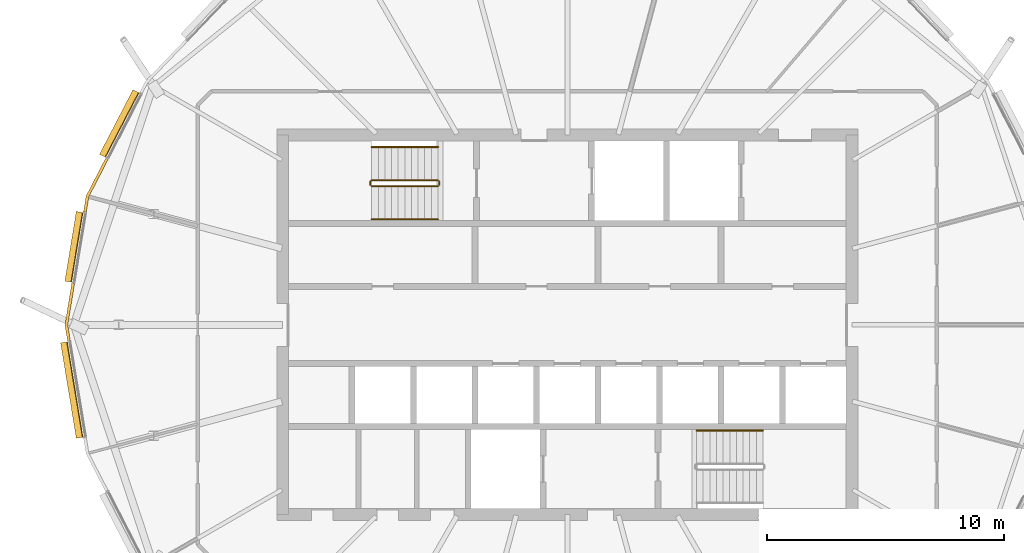
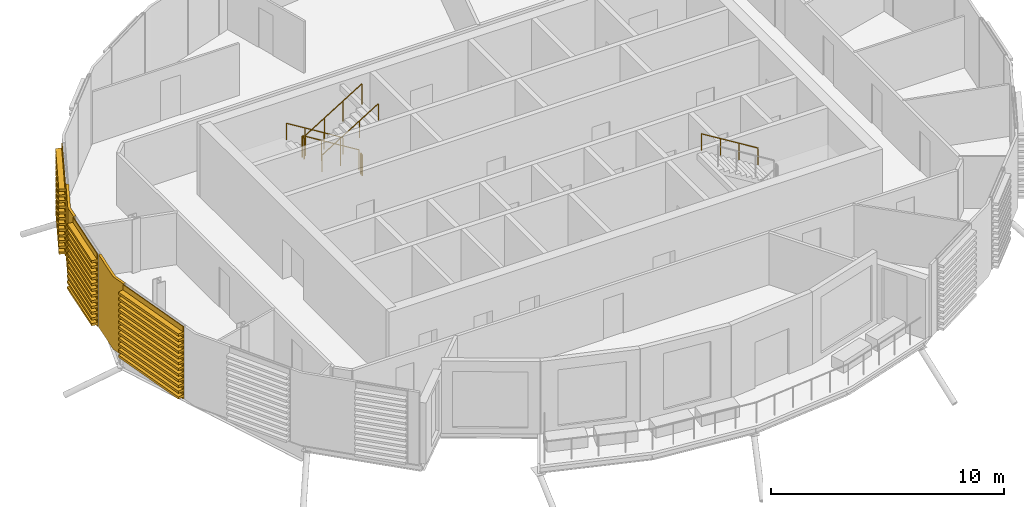
# One storey, part 35 of 41: 7 railings, 5 coverings.
"""IFC4 building model written with IfcOpenShell, lengths in metres."""

from ifc_helpers import new_model, si_unit, direction, frame, origin, origin_2d, place, context, subcontext, project, spatial, polyline, circle, outline, extrude, material, layer, layer_set, material_profile, profile_set, type_object, element, save


model = new_model("IFC4")

# Units and contexts
model_context = context("Model", 3, precision=1e-05, world=origin(), true_north=direction((0.0, 1.0)))
body_context = subcontext(model_context, "Body", "Model", "MODEL_VIEW")
ifc_project = project(units=[si_unit("LENGTHUNIT", "METRE"), si_unit("AREAUNIT", "SQUARE_METRE"), si_unit("VOLUMEUNIT", "CUBIC_METRE"), si_unit("PLANEANGLEUNIT", "RADIAN"), si_unit("MASSUNIT", "GRAM", prefix="KILO")], contexts=[model_context])

# Site, building, storey
site_placement = place(None, origin())
site = spatial("IfcSite", under=ifc_project, at=site_placement, CompositionType="ELEMENT")
building_placement = place(site_placement, origin())
building = spatial("IfcBuilding", under=site, at=building_placement, Name="Rimbun Link Towers", CompositionType="ELEMENT")
storey_placement = place(building_placement, frame((0.0, 0.0, 210.5)))
storey = spatial("IfcBuildingStorey", under=building, at=storey_placement, Name="L51", CompositionType="ELEMENT", Elevation=210.5)

# Coverings
ifc_material_1 = material(Name="Terracotta", Category="masonry")
ifc_layer = layer(ifc_material_1, 0.1201171875)
ifc_layer_set = layer_set([ifc_layer], Name="LINK PIER terracotta cladding 120")
covering_type_1 = type_object("IfcCoveringType", Name="LINK PIER terracotta cladding 120", PredefinedType="CLADDING", material=ifc_layer_set)
covering_1_placement = place(storey_placement, origin())
element("IfcCovering", 1, at=covering_1_placement, inside=storey, type_object=covering_type_1, Name="LINK PIER cladding", PredefinedType="CLADDING", context=body_context, shape_type="SweptSolid", body=[
    extrude(outline(polyline([(-52.030029296875, 4.743896484375), (-51.92138671875, 5.40478515625), (-51.10791015625, 6.976806640625), (-51.214599609375, 7.031982421875), (-52.03662109375, 5.443115234375), (-52.1484375, 4.76318359375), (-52.030029296875, 4.743896484375)])), origin(), (0.0, 0.0, 1.0), 3.800048828125),
])
covering_2_placement = place(storey_placement, origin())
element("IfcCovering", 2, at=covering_2_placement, inside=storey, type_object=covering_type_1, Name="LINK PIER cladding", PredefinedType="CLADDING", context=body_context, shape_type="SweptSolid", body=[
    extrude(outline(polyline([(-52.701416015625, -0.6611328125), (-52.810302734375, 0.0), (-52.52294921875, 1.74658203125), (-52.641357421875, 1.76611328125), (-52.931884765625, 0.0), (-52.81982421875, -0.6806640625), (-52.701416015625, -0.6611328125)])), origin(), (0.0, 0.0, 1.0), 3.800048828125),
])

# Railings
ifc_material_2 = material(Name="Stainless steel grade 316", Category="steel")
railing_type_1 = type_object("IfcRailingType", Name="Stair guard", PredefinedType="GUARDRAIL", material=ifc_material_2)
railing_1_placement = place(storey_placement, frame((-37.199951171875, 6.10009765625, 0.172607421875)))
element("IfcRailing", 3, at=railing_1_placement, inside=storey, type_object=railing_type_1, Name="L51 ST1 stair guard 1", PredefinedType="GUARDRAIL", context=body_context, shape_type="SweptSolid", body=[
    extrude(circle(Radius=0.02392578125, at=origin_2d()), frame((0.0, 0.0, 1.076171875), z_axis=(-0.851089632645, 0.0, 0.525020415988), x_axis=(0.0, -1.0, 0.0)), (0.0, 0.0, 1.0), 3.2900390625),
    extrude(circle(Radius=0.02099609375, at=origin_2d()), origin(), (0.0, 0.0, 1.0), 1.052001953125),
    extrude(circle(Radius=0.02099609375, at=origin_2d()), frame((-0.933349609375, 0.0, 0.57568359375)), (0.0, 0.0, 1.0), 1.052001953125),
    extrude(circle(Radius=0.02099609375, at=origin_2d()), frame((-1.86669921875, 0.0, 1.151611328125)), (0.0, 0.0, 1.0), 1.052001953125),
    extrude(circle(Radius=0.02099609375, at=origin_2d()), frame((-2.800048828125, 0.0, 1.727294921875)), (0.0, 0.0, 1.0), 1.052001953125),
])
railing_2_placement = place(storey_placement, frame((-40.050048828125, 6.050048828125, 1.89990234375)))
element("IfcRailing", 4, at=railing_2_placement, inside=storey, type_object=railing_type_1, Name="L51 ST1 stair guard 2", PredefinedType="GUARDRAIL", context=body_context, shape_type="SweptSolid", body=[
    extrude(circle(Radius=0.02392578125, at=origin_2d()), frame((0.0, 0.0, 1.076171875), z_axis=(0.0, -1.0, 0.0), x_axis=(1.0, 0.0, 0.0)), (0.0, 0.0, 1.0), 0.150146484375),
    extrude(circle(Radius=0.02099609375, at=origin_2d()), origin(), (0.0, 0.0, 1.0), 1.052001953125),
    extrude(circle(Radius=0.02099609375, at=origin_2d()), frame((0.0, -0.150146484375, 0.0)), (0.0, 0.0, 1.0), 1.052001953125),
])
railing_3_placement = place(storey_placement, frame((-40.0, 5.85009765625, 2.07275390625)))
element("IfcRailing", 5, at=railing_3_placement, inside=storey, type_object=railing_type_1, Name="L51 ST1 stair guard 3", PredefinedType="GUARDRAIL", context=body_context, shape_type="SweptSolid", body=[
    extrude(circle(Radius=0.02392578125, at=origin_2d()), frame((0.0, 0.0, 1.076171875), z_axis=(0.851089632645, 0.0, 0.525020415988), x_axis=(0.0, 1.0, 0.0)), (0.0, 0.0, 1.0), 3.2900390625),
    extrude(circle(Radius=0.02099609375, at=origin_2d()), origin(), (0.0, 0.0, 1.0), 1.052001953125),
    extrude(circle(Radius=0.02099609375, at=origin_2d()), frame((0.933349609375, 0.0, 0.57568359375)), (0.0, 0.0, 1.0), 1.052001953125),
    extrude(circle(Radius=0.02099609375, at=origin_2d()), frame((1.86669921875, 0.0, 1.151611328125)), (0.0, 0.0, 1.0), 1.052001953125),
    extrude(circle(Radius=0.02099609375, at=origin_2d()), frame((2.800048828125, 0.0, 1.727294921875)), (0.0, 0.0, 1.0), 1.052001953125),
])
railing_4_placement = place(storey_placement, frame((-37.14990234375, 6.050048828125, 0.0)))
element("IfcRailing", 6, at=railing_4_placement, inside=storey, type_object=railing_type_1, Name="L51 ST1 stair guard 4", PredefinedType="GUARDRAIL", context=body_context, shape_type="SweptSolid", body=[
    extrude(circle(Radius=0.02392578125, at=origin_2d()), frame((0.0, 0.0, 1.076171875), z_axis=(0.0, -1.0, 0.0), x_axis=(1.0, 0.0, 0.0)), (0.0, 0.0, 1.0), 0.150146484375),
    extrude(circle(Radius=0.02099609375, at=origin_2d()), origin(), (0.0, 0.0, 1.0), 1.052001953125),
    extrude(circle(Radius=0.02099609375, at=origin_2d()), frame((0.0, -0.150146484375, 0.0)), (0.0, 0.0, 1.0), 1.052001953125),
])
ifc_material_3 = material(Name="Stainless steel grade 316", Category="steel")
railing_type_2 = type_object("IfcRailingType", Name="Stair handrail", PredefinedType="HANDRAIL", material=ifc_material_3)
railing_5_placement = place(storey_placement, frame((-37.199951171875, 7.5, 0.172607421875)))
element("IfcRailing", 7, at=railing_5_placement, inside=storey, type_object=railing_type_2, Name="L51 ST1 stair handrail 1", PredefinedType="HANDRAIL", context=body_context, shape_type="SweptSolid", body=[
    extrude(circle(Radius=0.02392578125, at=origin_2d()), frame((0.0, 0.0, 0.8759765625), z_axis=(-0.851089632645, 0.0, 0.525020415988), x_axis=(0.0, -1.0, 0.0)), (0.0, 0.0, 1.0), 3.2900390625),
    extrude(circle(Radius=0.02099609375, at=origin_2d()), origin(), (0.0, 0.0, 1.0), 0.851806640625),
    extrude(circle(Radius=0.02099609375, at=origin_2d()), frame((-0.933349609375, 0.0, 0.57568359375)), (0.0, 0.0, 1.0), 0.851806640625),
    extrude(circle(Radius=0.02099609375, at=origin_2d()), frame((-1.86669921875, 0.0, 1.151611328125)), (0.0, 0.0, 1.0), 0.851806640625),
    extrude(circle(Radius=0.02099609375, at=origin_2d()), frame((-2.800048828125, 0.0, 1.727294921875)), (0.0, 0.0, 1.0), 0.851806640625),
])
railing_6_placement = place(storey_placement, frame((-40.0, 4.449951171875, 2.07275390625)))
element("IfcRailing", 8, at=railing_6_placement, inside=storey, type_object=railing_type_2, Name="L51 ST1 stair handrail 2", PredefinedType="HANDRAIL", context=body_context, shape_type="SweptSolid", body=[
    extrude(circle(Radius=0.02392578125, at=origin_2d()), frame((0.0, 0.0, 0.8759765625), z_axis=(0.851089632645, 0.0, 0.525020415988), x_axis=(0.0, 1.0, 0.0)), (0.0, 0.0, 1.0), 3.2900390625),
    extrude(circle(Radius=0.02099609375, at=origin_2d()), origin(), (0.0, 0.0, 1.0), 0.851806640625),
    extrude(circle(Radius=0.02099609375, at=origin_2d()), frame((0.933349609375, 0.0, 0.57568359375)), (0.0, 0.0, 1.0), 0.851806640625),
    extrude(circle(Radius=0.02099609375, at=origin_2d()), frame((1.86669921875, 0.0, 1.151611328125)), (0.0, 0.0, 1.0), 0.851806640625),
    extrude(circle(Radius=0.02099609375, at=origin_2d()), frame((2.800048828125, 0.0, 1.727294921875)), (0.0, 0.0, 1.0), 0.851806640625),
])
railing_7_placement = place(storey_placement, frame((-23.5, -4.449951171875, 2.07275390625)))
element("IfcRailing", 9, at=railing_7_placement, inside=storey, type_object=railing_type_2, Name="L51 ST2 stair handrail 2", PredefinedType="HANDRAIL", context=body_context, shape_type="SweptSolid", body=[
    extrude(circle(Radius=0.02392578125, at=origin_2d()), frame((0.0, 0.0, 0.8759765625), z_axis=(-0.851089632645, 0.0, 0.525020415988), x_axis=(0.0, -1.0, 0.0)), (0.0, 0.0, 1.0), 3.2900390625),
    extrude(circle(Radius=0.02099609375, at=origin_2d()), origin(), (0.0, 0.0, 1.0), 0.851806640625),
    extrude(circle(Radius=0.02099609375, at=origin_2d()), frame((-0.933349609375, 0.0, 0.57568359375)), (0.0, 0.0, 1.0), 0.851806640625),
    extrude(circle(Radius=0.02099609375, at=origin_2d()), frame((-1.86669921875, 0.0, 1.151611328125)), (0.0, 0.0, 1.0), 0.851806640625),
    extrude(circle(Radius=0.02099609375, at=origin_2d()), frame((-2.800048828125, 0.0, 1.727294921875)), (0.0, 0.0, 1.0), 0.851806640625),
])

# Coverings
ifc_material_4 = material(Name="Terracotta", Category="masonry")
ifc_material_profile = material_profile(ifc_material_4, outline(polyline([(0.123046875, 0.0), (0.1630859375, 0.0), (0.1630859375, 0.10009765625), (0.423095703125, 0.10009765625), (0.423095703125, 0.219970703125), (0.1630859375, 0.219970703125), (0.1630859375, 0.39990234375), (0.423095703125, 0.39990234375), (0.423095703125, 0.52001953125), (0.1630859375, 0.52001953125), (0.1630859375, 0.699951171875), (0.423095703125, 0.699951171875), (0.423095703125, 0.820068359375), (0.1630859375, 0.820068359375), (0.1630859375, 1.0), (0.423095703125, 1.0), (0.423095703125, 1.1201171875), (0.1630859375, 1.1201171875), (0.1630859375, 1.300048828125), (0.423095703125, 1.300048828125), (0.423095703125, 1.419921875), (0.1630859375, 1.419921875), (0.1630859375, 1.60009765625), (0.423095703125, 1.60009765625), (0.423095703125, 1.719970703125), (0.1630859375, 1.719970703125), (0.1630859375, 1.89990234375), (0.423095703125, 1.89990234375), (0.423095703125, 2.02001953125), (0.1630859375, 2.02001953125), (0.1630859375, 2.199951171875), (0.423095703125, 2.199951171875), (0.423095703125, 2.320068359375), (0.1630859375, 2.320068359375), (0.1630859375, 2.5), (0.423095703125, 2.5), (0.423095703125, 2.6201171875), (0.1630859375, 2.6201171875), (0.1630859375, 2.800048828125), (0.423095703125, 2.800048828125), (0.423095703125, 2.919921875), (0.1630859375, 2.919921875), (0.1630859375, 3.10009765625), (0.423095703125, 3.10009765625), (0.423095703125, 3.219970703125), (0.1630859375, 3.219970703125), (0.1630859375, 3.39990234375), (0.423095703125, 3.39990234375), (0.423095703125, 3.52001953125), (0.1630859375, 3.52001953125), (0.1630859375, 3.800048828125), (0.123046875, 3.800048828125), (0.123046875, 0.0)])), Name="BAGUETTE 120X300")
ifc_profile_set = profile_set([ifc_material_profile], Name="Terracotta")
covering_type_2 = type_object("IfcCoveringType", Name="TERRACOTTA BAGUETTE 120X300 H3800", PredefinedType="CLADDING", material=ifc_profile_set)
covering_3_placement = place(storey_placement, frame((-51.09423828125, 7.003662109375, 0.0), z_axis=(0.459550949069, 0.888151408945, 0.0), x_axis=(-0.888151408945, 0.459550949069, 0.0)))
element("IfcCovering", 10, at=covering_3_placement, inside=storey, type_object=covering_type_2, Name="TERRACOTTA BAGUETTE", PredefinedType="CLADDING", context=body_context, shape_type="SweptSolid", body=[
    extrude(outline(polyline([(0.123046875, 0.0), (0.1630859375, 0.0), (0.1630859375, 0.10009765625), (0.423095703125, 0.10009765625), (0.423095703125, 0.219970703125), (0.1630859375, 0.219970703125), (0.1630859375, 0.39990234375), (0.423095703125, 0.39990234375), (0.423095703125, 0.52001953125), (0.1630859375, 0.52001953125), (0.1630859375, 0.699951171875), (0.423095703125, 0.699951171875), (0.423095703125, 0.820068359375), (0.1630859375, 0.820068359375), (0.1630859375, 1.0), (0.423095703125, 1.0), (0.423095703125, 1.1201171875), (0.1630859375, 1.1201171875), (0.1630859375, 1.300048828125), (0.423095703125, 1.300048828125), (0.423095703125, 1.419921875), (0.1630859375, 1.419921875), (0.1630859375, 1.60009765625), (0.423095703125, 1.60009765625), (0.423095703125, 1.719970703125), (0.1630859375, 1.719970703125), (0.1630859375, 1.89990234375), (0.423095703125, 1.89990234375), (0.423095703125, 2.02001953125), (0.1630859375, 2.02001953125), (0.1630859375, 2.199951171875), (0.423095703125, 2.199951171875), (0.423095703125, 2.320068359375), (0.1630859375, 2.320068359375), (0.1630859375, 2.5), (0.423095703125, 2.5), (0.423095703125, 2.6201171875), (0.1630859375, 2.6201171875), (0.1630859375, 2.800048828125), (0.423095703125, 2.800048828125), (0.423095703125, 2.919921875), (0.1630859375, 2.919921875), (0.1630859375, 3.10009765625), (0.423095703125, 3.10009765625), (0.423095703125, 3.219970703125), (0.1630859375, 3.219970703125), (0.1630859375, 3.39990234375), (0.423095703125, 3.39990234375), (0.423095703125, 3.52001953125), (0.1630859375, 3.52001953125), (0.1630859375, 3.800048828125), (0.123046875, 3.800048828125), (0.123046875, 0.0)])), origin(), (0.0, 0.0, 1.0), 3.060546875),
])
covering_4_placement = place(storey_placement, frame((-52.51806640625, 1.776123046875, 0.0), z_axis=(0.162271127458, 0.98674620911, 0.0), x_axis=(-0.98674620911, 0.162271127458, 0.0)))
element("IfcCovering", 11, at=covering_4_placement, inside=storey, type_object=covering_type_2, Name="TERRACOTTA BAGUETTE", PredefinedType="CLADDING", context=body_context, shape_type="SweptSolid", body=[
    extrude(outline(polyline([(0.123046875, 0.0), (0.1630859375, 0.0), (0.1630859375, 0.10009765625), (0.423095703125, 0.10009765625), (0.423095703125, 0.219970703125), (0.1630859375, 0.219970703125), (0.1630859375, 0.39990234375), (0.423095703125, 0.39990234375), (0.423095703125, 0.52001953125), (0.1630859375, 0.52001953125), (0.1630859375, 0.699951171875), (0.423095703125, 0.699951171875), (0.423095703125, 0.820068359375), (0.1630859375, 0.820068359375), (0.1630859375, 1.0), (0.423095703125, 1.0), (0.423095703125, 1.1201171875), (0.1630859375, 1.1201171875), (0.1630859375, 1.300048828125), (0.423095703125, 1.300048828125), (0.423095703125, 1.419921875), (0.1630859375, 1.419921875), (0.1630859375, 1.60009765625), (0.423095703125, 1.60009765625), (0.423095703125, 1.719970703125), (0.1630859375, 1.719970703125), (0.1630859375, 1.89990234375), (0.423095703125, 1.89990234375), (0.423095703125, 2.02001953125), (0.1630859375, 2.02001953125), (0.1630859375, 2.199951171875), (0.423095703125, 2.199951171875), (0.423095703125, 2.320068359375), (0.1630859375, 2.320068359375), (0.1630859375, 2.5), (0.423095703125, 2.5), (0.423095703125, 2.6201171875), (0.1630859375, 2.6201171875), (0.1630859375, 2.800048828125), (0.423095703125, 2.800048828125), (0.423095703125, 2.919921875), (0.1630859375, 2.919921875), (0.1630859375, 3.10009765625), (0.423095703125, 3.10009765625), (0.423095703125, 3.219970703125), (0.1630859375, 3.219970703125), (0.1630859375, 3.39990234375), (0.423095703125, 3.39990234375), (0.423095703125, 3.52001953125), (0.1630859375, 3.52001953125), (0.1630859375, 3.800048828125), (0.123046875, 3.800048828125), (0.123046875, 0.0)])), origin(), (0.0, 0.0, 1.0), 2.9775390625),
])
covering_5_placement = place(storey_placement, frame((-52.034912109375, -4.714111328125, 0.0), z_axis=(-0.162262504225, 0.986747627168, 0.0), x_axis=(-0.986747627168, -0.162262504225, 0.0)))
element("IfcCovering", 12, at=covering_5_placement, inside=storey, type_object=covering_type_2, Name="TERRACOTTA BAGUETTE", PredefinedType="CLADDING", context=body_context, shape_type="SweptSolid", body=[
    extrude(outline(polyline([(0.123046875, 0.0), (0.1630859375, 0.0), (0.1630859375, 0.10009765625), (0.423095703125, 0.10009765625), (0.423095703125, 0.219970703125), (0.1630859375, 0.219970703125), (0.1630859375, 0.39990234375), (0.423095703125, 0.39990234375), (0.423095703125, 0.52001953125), (0.1630859375, 0.52001953125), (0.1630859375, 0.699951171875), (0.423095703125, 0.699951171875), (0.423095703125, 0.820068359375), (0.1630859375, 0.820068359375), (0.1630859375, 1.0), (0.423095703125, 1.0), (0.423095703125, 1.1201171875), (0.1630859375, 1.1201171875), (0.1630859375, 1.300048828125), (0.423095703125, 1.300048828125), (0.423095703125, 1.419921875), (0.1630859375, 1.419921875), (0.1630859375, 1.60009765625), (0.423095703125, 1.60009765625), (0.423095703125, 1.719970703125), (0.1630859375, 1.719970703125), (0.1630859375, 1.89990234375), (0.423095703125, 1.89990234375), (0.423095703125, 2.02001953125), (0.1630859375, 2.02001953125), (0.1630859375, 2.199951171875), (0.423095703125, 2.199951171875), (0.423095703125, 2.320068359375), (0.1630859375, 2.320068359375), (0.1630859375, 2.5), (0.423095703125, 2.5), (0.423095703125, 2.6201171875), (0.1630859375, 2.6201171875), (0.1630859375, 2.800048828125), (0.423095703125, 2.800048828125), (0.423095703125, 2.919921875), (0.1630859375, 2.919921875), (0.1630859375, 3.10009765625), (0.423095703125, 3.10009765625), (0.423095703125, 3.219970703125), (0.1630859375, 3.219970703125), (0.1630859375, 3.39990234375), (0.423095703125, 3.39990234375), (0.423095703125, 3.52001953125), (0.1630859375, 3.52001953125), (0.1630859375, 3.800048828125), (0.123046875, 3.800048828125), (0.123046875, 0.0)])), origin(), (0.0, 0.0, 1.0), 4.077392578125),
])

save(model, "model.ifc")
